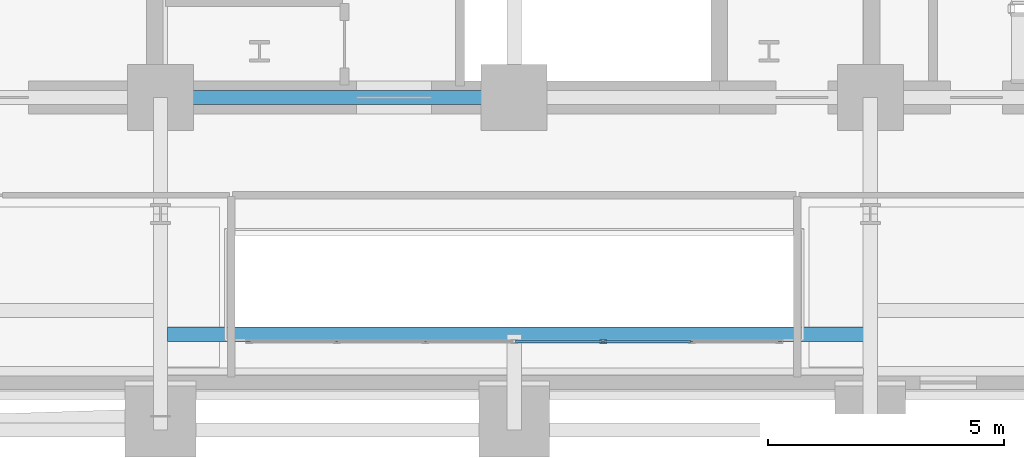
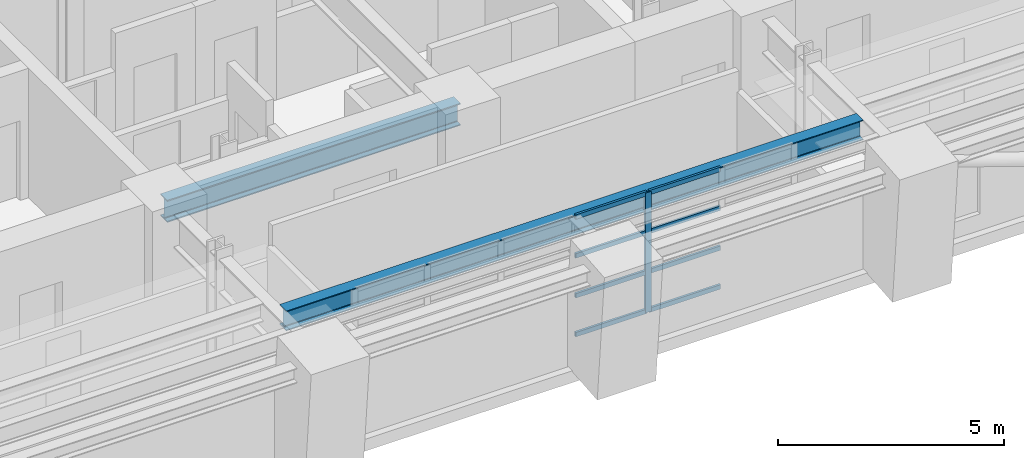
# One storey, part 3 of 15: 9 members, 2 beams, 1 element without a shape of its own.
"""IFC4 building model written with IfcOpenShell, lengths in metres."""

from ifc_helpers import new_model, si_unit, direction, frame, origin, origin_2d, place, context, subcontext, project, spatial, hollow_rectangle, i_section, extrude, material, layer, layer_set, material_profile, profile_set, type_object, element, aggregate, save


model = new_model("IFC4")

# Units and contexts
model_context = context("Model", 3, precision=1e-05, world=origin(), true_north=direction((0.0, 1.0)))
body_context = subcontext(model_context, "Body", "Model", "MODEL_VIEW")
ifc_project = project(units=[si_unit("LENGTHUNIT", "METRE"), si_unit("AREAUNIT", "SQUARE_METRE"), si_unit("VOLUMEUNIT", "CUBIC_METRE"), si_unit("PLANEANGLEUNIT", "RADIAN"), si_unit("MASSUNIT", "GRAM", prefix="KILO")], contexts=[model_context])

# Site, building, storey
site_placement = place(None, origin())
site = spatial("IfcSite", under=ifc_project, at=site_placement, CompositionType="ELEMENT")
building_placement = place(site_placement, origin())
building = spatial("IfcBuilding", under=site, at=building_placement, Name="Zarnavel Station Tower", CompositionType="ELEMENT")
storey_placement = place(building_placement, frame((0.0, 0.0, 57.0)))
storey = spatial("IfcBuildingStorey", under=building, at=storey_placement, Name="L15", CompositionType="ELEMENT", Elevation=57.0)

# Curtain wall, members
ifc_material_1 = material(Name="Aluminium Dark Anodised and Solar-Control Glass", Category="aluminium")
ifc_layer = layer(ifc_material_1, 0.179931640625)
ifc_layer_set = layer_set([ifc_layer], Name="CWS2")
curtain_wall_type = type_object("IfcCurtainWallType", Name="CWS2", PredefinedType="NOTDEFINED", material=ifc_layer_set)
curtain_wall_placement = place(storey_placement, origin())
curtain_wall = element("IfcCurtainWall", 1, at=curtain_wall_placement, inside=storey, type_object=curtain_wall_type, Name="L15 Curtain Wall CWS2-L15-AS", PredefinedType="NOTDEFINED")
ifc_material_2 = material(Name="Steel S355J2 (Black Fluoropolymer Coated)", Category="steel")
ifc_material_profile_1 = material_profile(ifc_material_2, hollow_rectangle(XDim=0.074951171875, YDim=0.14990234375, WallThickness=0.00634765625, at=origin_2d()), Name="RHS150x75x6.3")
ifc_profile_set_1 = profile_set([ifc_material_profile_1], Name="Steel S355J2 (Black Fluoropolymer Coated)")
member_type_1 = type_object("IfcMemberType", Name="CWS2_MUL", PredefinedType="MULLION", material=ifc_profile_set_1)
member_1_placement = place(storey_placement, frame((30.683349609375, 22.64990234375, 0.0), z_axis=(0.0, 0.0, 1.0), x_axis=(0.0, 1.0, 0.0)))
member_1 = element("IfcMember", 2, at=member_1_placement, type_object=member_type_1, Name="CW2 mullion 5", PredefinedType="MULLION", context=body_context, shape_type="SweptSolid", body=[
    extrude(hollow_rectangle(XDim=0.074951171875, YDim=0.14990234375, WallThickness=0.00634765625, at=origin_2d()), origin(), (0.0, 0.0, 1.0), 3.239990234375),
])
ifc_material_3 = material(Name="Steel S355J2 (Black Fluoropolymer Coated)", Category="steel")
ifc_material_profile_2 = material_profile(ifc_material_3, hollow_rectangle(XDim=0.06005859375, YDim=0.1201171875, WallThickness=0.0048828125, at=origin_2d()), Name="RHS120x60x5")
ifc_profile_set_2 = profile_set([ifc_material_profile_2], Name="Steel S355J2 (Black Fluoropolymer Coated)")
member_type_2 = type_object("IfcMemberType", Name="CWS2_TRN", PredefinedType="USERDEFINED", material=ifc_profile_set_2)
member_2_placement = place(storey_placement, frame((28.830078125, 22.64990234375, 0.030029296875), z_axis=(1.0, 0.0, 0.0), x_axis=(0.0, 1.0, 0.0)))
member_2 = element("IfcMember", 3, at=member_2_placement, type_object=member_type_2, Name="CW2 transom 4.1", ObjectType="TRANSOM", PredefinedType="USERDEFINED", context=body_context, shape_type="SweptSolid", body=[
    extrude(hollow_rectangle(XDim=0.06005859375, YDim=0.1201171875, WallThickness=0.0048828125, at=origin_2d()), origin(), (0.0, 0.0, 1.0), 1.8232421875),
])
member_3_placement = place(storey_placement, frame((28.830078125, 22.64990234375, 1.080078125), z_axis=(1.0, 0.0, 0.0), x_axis=(0.0, 1.0, 0.0)))
member_3 = element("IfcMember", 4, at=member_3_placement, type_object=member_type_2, Name="CW2 transom 4.2", ObjectType="TRANSOM", PredefinedType="USERDEFINED", context=body_context, shape_type="SweptSolid", body=[
    extrude(hollow_rectangle(XDim=0.06005859375, YDim=0.1201171875, WallThickness=0.0048828125, at=origin_2d()), origin(), (0.0, 0.0, 1.0), 1.8232421875),
])
member_4_placement = place(storey_placement, frame((28.830078125, 22.64990234375, 2.159912109375), z_axis=(1.0, 0.0, 0.0), x_axis=(0.0, 1.0, 0.0)))
member_4 = element("IfcMember", 5, at=member_4_placement, type_object=member_type_2, Name="CW2 transom 4.3", ObjectType="TRANSOM", PredefinedType="USERDEFINED", context=body_context, shape_type="SweptSolid", body=[
    extrude(hollow_rectangle(XDim=0.06005859375, YDim=0.1201171875, WallThickness=0.0048828125, at=origin_2d()), origin(), (0.0, 0.0, 1.0), 1.8232421875),
])
member_5_placement = place(storey_placement, frame((28.830078125, 22.64990234375, 3.2099609375), z_axis=(1.0, 0.0, 0.0), x_axis=(0.0, 1.0, 0.0)))
member_5 = element("IfcMember", 6, at=member_5_placement, type_object=member_type_2, Name="CW2 transom 4.4", ObjectType="TRANSOM", PredefinedType="USERDEFINED", context=body_context, shape_type="SweptSolid", body=[
    extrude(hollow_rectangle(XDim=0.06005859375, YDim=0.1201171875, WallThickness=0.0048828125, at=origin_2d()), origin(), (0.0, 0.0, 1.0), 1.8232421875),
])
member_6_placement = place(storey_placement, frame((30.71337890625, 22.64990234375, 0.030029296875), z_axis=(1.0, 0.0, 0.0), x_axis=(0.0, 1.0, 0.0)))
member_6 = element("IfcMember", 7, at=member_6_placement, type_object=member_type_2, Name="CW2 transom 5.1", ObjectType="TRANSOM", PredefinedType="USERDEFINED", context=body_context, shape_type="SweptSolid", body=[
    extrude(hollow_rectangle(XDim=0.06005859375, YDim=0.1201171875, WallThickness=0.0048828125, at=origin_2d()), origin(), (0.0, 0.0, 1.0), 1.8232421875),
])
member_7_placement = place(storey_placement, frame((30.71337890625, 22.64990234375, 1.080078125), z_axis=(1.0, 0.0, 0.0), x_axis=(0.0, 1.0, 0.0)))
member_7 = element("IfcMember", 8, at=member_7_placement, type_object=member_type_2, Name="CW2 transom 5.2", ObjectType="TRANSOM", PredefinedType="USERDEFINED", context=body_context, shape_type="SweptSolid", body=[
    extrude(hollow_rectangle(XDim=0.06005859375, YDim=0.1201171875, WallThickness=0.0048828125, at=origin_2d()), origin(), (0.0, 0.0, 1.0), 1.8232421875),
])
member_8_placement = place(storey_placement, frame((30.71337890625, 22.64990234375, 2.159912109375), z_axis=(1.0, 0.0, 0.0), x_axis=(0.0, 1.0, 0.0)))
member_8 = element("IfcMember", 9, at=member_8_placement, type_object=member_type_2, Name="CW2 transom 5.3", ObjectType="TRANSOM", PredefinedType="USERDEFINED", context=body_context, shape_type="SweptSolid", body=[
    extrude(hollow_rectangle(XDim=0.06005859375, YDim=0.1201171875, WallThickness=0.0048828125, at=origin_2d()), origin(), (0.0, 0.0, 1.0), 1.8232421875),
])
member_9_placement = place(storey_placement, frame((30.71337890625, 22.64990234375, 3.2099609375), z_axis=(1.0, 0.0, 0.0), x_axis=(0.0, 1.0, 0.0)))
member_9 = element("IfcMember", 10, at=member_9_placement, type_object=member_type_2, Name="CW2 transom 5.4", ObjectType="TRANSOM", PredefinedType="USERDEFINED", context=body_context, shape_type="SweptSolid", body=[
    extrude(hollow_rectangle(XDim=0.06005859375, YDim=0.1201171875, WallThickness=0.0048828125, at=origin_2d()), origin(), (0.0, 0.0, 1.0), 1.8232421875),
])
aggregate(curtain_wall, [member_1, member_2, member_3, member_4, member_5, member_6, member_7, member_8, member_9])

# Beams
ifc_material_4 = material(Name="Steel S355J2", Category="steel")
ifc_material_profile_3 = material_profile(ifc_material_4, i_section(OverallWidth=0.300048828125, OverallDepth=0.5400390625, WebThickness=0.012451171875, FlangeThickness=0.02392578125, FilletRadius=0.027099609375, at=origin_2d()), Name="HEA550")
ifc_profile_set_3 = profile_set([ifc_material_profile_3], Name="Steel S355J2")
beam_type_1 = type_object("IfcBeamType", Name="FB_HEA550", PredefinedType="BEAM", material=ifc_profile_set_3)
beam_1_placement = place(storey_placement, frame((21.445068359375, 22.800048828125, 2.969970703125), z_axis=(1.0, 0.0, 0.0), x_axis=(0.0, 1.0, 0.0)))
element("IfcBeam", 11, at=beam_1_placement, inside=storey, type_object=beam_type_1, Name="L15 Atrium South Edge Girder", PredefinedType="BEAM", context=body_context, shape_type="SweptSolid", body=[
    extrude(i_section(OverallWidth=0.300048828125, OverallDepth=0.5400390625, WebThickness=0.012451171875, FlangeThickness=0.02392578125, FilletRadius=0.027099609375, at=origin_2d()), origin(), (0.0, 0.0, 1.0), 14.760009765625),
])
ifc_material_5 = material(Name="Steel S355J2", Category="steel")
ifc_material_profile_4 = material_profile(ifc_material_5, i_section(OverallWidth=0.300048828125, OverallDepth=0.60009765625, WebThickness=0.015380859375, FlangeThickness=0.030029296875, FilletRadius=0.027099609375, at=origin_2d()), Name="HEB600")
ifc_profile_set_4 = profile_set([ifc_material_profile_4], Name="Steel S355J2")
beam_type_2 = type_object("IfcBeamType", Name="FG_HEB600", PredefinedType="USERDEFINED", material=ifc_profile_set_4)
beam_2_placement = place(storey_placement, frame((21.300048828125, 27.820068359375, 2.93994140625), z_axis=(1.0, 0.0, 0.0), x_axis=(0.0, 1.0, 0.0)))
element("IfcBeam", 12, at=beam_2_placement, inside=storey, type_object=beam_type_2, Name="L15 Core Front Coupling Beam 2", ObjectType="GIRDER", PredefinedType="USERDEFINED", context=body_context, shape_type="SweptSolid", body=[
    extrude(i_section(OverallWidth=0.300048828125, OverallDepth=0.60009765625, WebThickness=0.015380859375, FlangeThickness=0.030029296875, FilletRadius=0.027099609375, at=origin_2d()), origin(), (0.0, 0.0, 1.0), 7.5),
])

save(model, "model.ifc")
